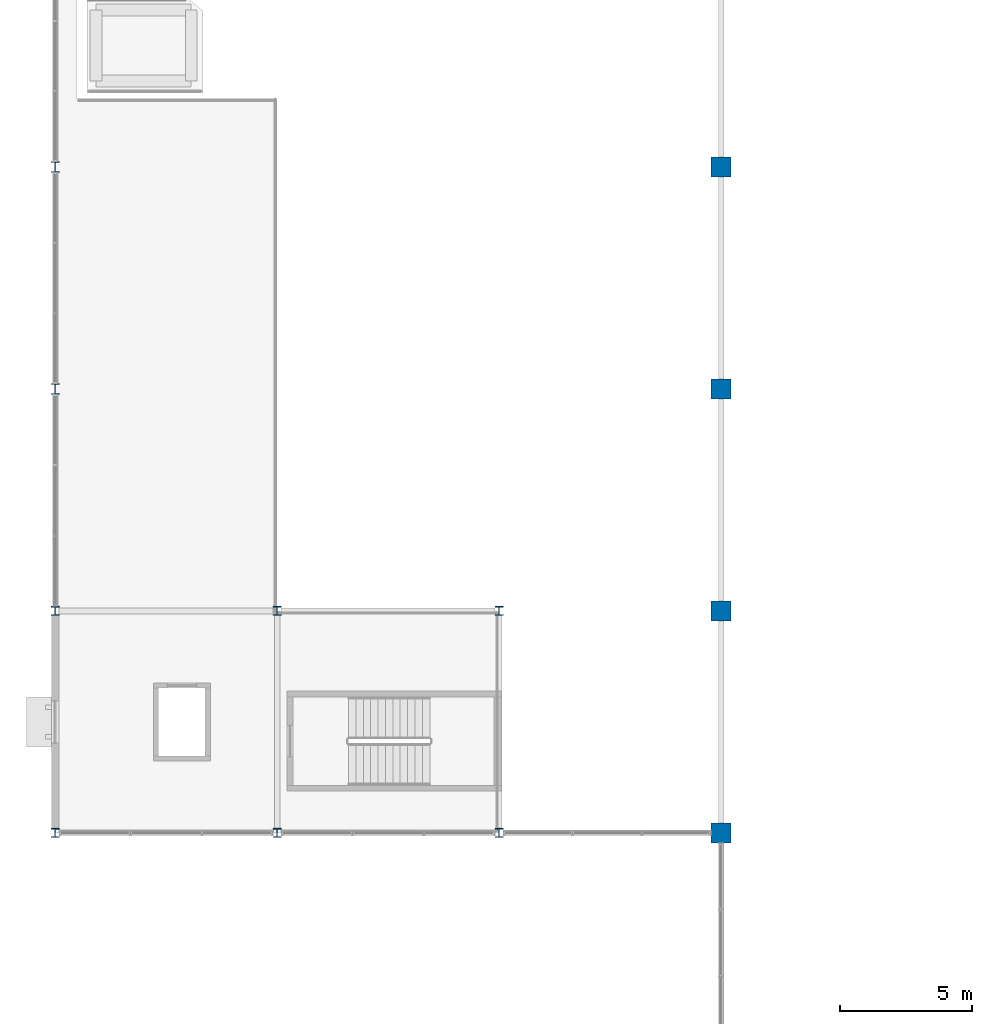
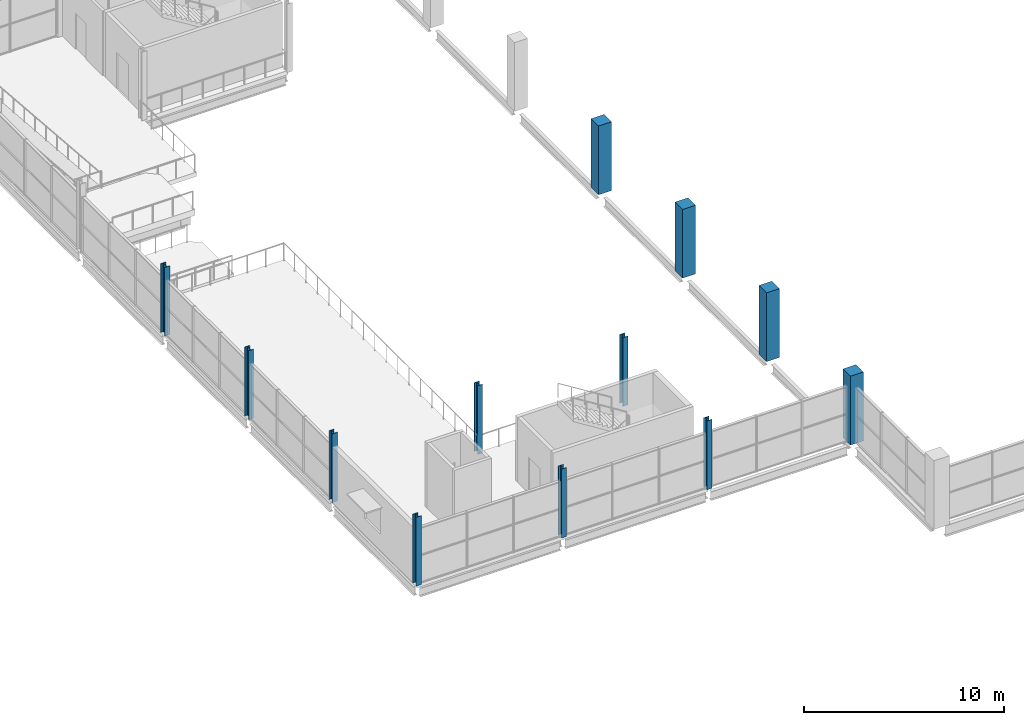
# One storey, part 2 of 93: 12 columns.
"""IFC4 building model written with IfcOpenShell, lengths in metres."""

from ifc_helpers import new_model, si_unit, direction, frame, origin, origin_2d, place, context, subcontext, project, spatial, rectangle, i_section, extrude, material, material_profile, profile_set, type_object, element, save


model = new_model("IFC4")

# Units and contexts
model_context = context("Model", 3, precision=1e-05, world=origin(), true_north=direction((0.0, 1.0)))
body_context = subcontext(model_context, "Body", "Model", "MODEL_VIEW")
ifc_project = project(units=[si_unit("LENGTHUNIT", "METRE"), si_unit("AREAUNIT", "SQUARE_METRE"), si_unit("VOLUMEUNIT", "CUBIC_METRE"), si_unit("PLANEANGLEUNIT", "RADIAN"), si_unit("MASSUNIT", "GRAM", prefix="KILO"), si_unit("THERMODYNAMICTEMPERATUREUNIT", "KELVIN")], contexts=[model_context])

# Site, building, storey
site_placement = place(None, origin())
site = spatial("IfcSite", under=ifc_project, at=site_placement, CompositionType="ELEMENT")
building_placement = place(site_placement, origin())
building = spatial("IfcBuilding", under=site, at=building_placement, Name="Nduvali Passage Aquatics Centre", CompositionType="ELEMENT")
storey_placement = place(building_placement, frame((0.0, 0.0, 9.0)))
storey = spatial("IfcBuildingStorey", under=building, at=storey_placement, Name="L02", CompositionType="ELEMENT", Elevation=9.0)

# Columns
ifc_material_1 = material(Name="Steel S355", Category="steel")
ifc_material_profile_1 = material_profile(ifc_material_1, i_section(OverallWidth=0.300048828125, OverallDepth=0.340087890625, WebThickness=0.011962890625, FlangeThickness=0.021484375, FilletRadius=0.027099609375, at=origin_2d()), Name="HEB 340")
ifc_profile_set_1 = profile_set([ifc_material_profile_1], Name="Steel S355")
column_type_1 = type_object("IfcColumnType", Name="STR-COL-HEB340", PredefinedType="COLUMN", material=ifc_profile_set_1)
for number, where, z_axis, x_axis, name in (
    (1, (8.39990234375, 42.0, 0.0), (0.0, 0.0, 1.0), (1.0, 0.0, 0.0), "L02 Column C7 (8.4, 42.0)"),
    (2, (16.800048828125, 42.0, 0.0), (0.0, 0.0, 1.0), (1.0, 0.0, 0.0), "L02 Column C7 (16.8, 42.0)"),
):
    element("IfcColumn", number, at=place(storey_placement, frame(where, z_axis=z_axis, x_axis=x_axis)), inside=storey, type_object=column_type_1, Name=name, PredefinedType="COLUMN", context=body_context, shape_type="SweptSolid", body=[
        extrude(i_section(OverallWidth=0.300048828125, OverallDepth=0.340087890625, WebThickness=0.011962890625, FlangeThickness=0.021484375, FilletRadius=0.027099609375, at=origin_2d()), origin(), (0.0, 0.0, 1.0), 4.199951171875),
    ])
ifc_material_profile_2 = material_profile(ifc_material_1, i_section(OverallWidth=0.300048828125, OverallDepth=0.340087890625, WebThickness=0.011962890625, FlangeThickness=0.021484375, FilletRadius=0.027099609375, at=origin_2d()), Name="HEB 340")
ifc_profile_set_2 = profile_set([ifc_material_profile_2], Name="Steel S355")
column_type_2 = type_object("IfcColumnType", Name="STR-COL-HEB340-EXT", PredefinedType="COLUMN", material=ifc_profile_set_2)
for number, where, z_axis, x_axis, name in (
    (3, (0.0, 33.60009765625, 0.0), (0.0, 0.0, 1.0), (1.0, 0.0, 0.0), "L02 Column C7E (0.0, 33.6)"),
    (4, (0.0, 42.0, 0.0), (0.0, 0.0, 1.0), (1.0, 0.0, 0.0), "L02 Column C7E (0.0, 42.0)"),
    (5, (8.39990234375, 33.60009765625, 0.0), (0.0, 0.0, 1.0), (1.0, 0.0, 0.0), "L02 Column C7E (8.4, 33.6)"),
    (6, (16.800048828125, 33.60009765625, 0.0), (0.0, 0.0, 1.0), (1.0, 0.0, 0.0), "L02 Column C7E (16.8, 33.6)"),
):
    element("IfcColumn", number, at=place(storey_placement, frame(where, z_axis=z_axis, x_axis=x_axis)), inside=storey, type_object=column_type_2, Name=name, PredefinedType="COLUMN", context=body_context, shape_type="SweptSolid", body=[
        extrude(i_section(OverallWidth=0.300048828125, OverallDepth=0.340087890625, WebThickness=0.011962890625, FlangeThickness=0.021484375, FilletRadius=0.027099609375, at=origin_2d()), origin(), (0.0, 0.0, 1.0), 4.199951171875),
    ])
ifc_material_profile_3 = material_profile(ifc_material_1, i_section(OverallWidth=0.300048828125, OverallDepth=0.39990234375, WebThickness=0.013427734375, FlangeThickness=0.02392578125, FilletRadius=0.027099609375, at=origin_2d()), Name="HEB 400")
ifc_profile_set_3 = profile_set([ifc_material_profile_3], Name="Steel S355")
column_type_3 = type_object("IfcColumnType", Name="STR-COL-HEB400-EXT", PredefinedType="COLUMN", material=ifc_profile_set_3)
for number, where, z_axis, x_axis, name in (
    (7, (0.0, 50.39990234375, 0.0), (0.0, 0.0, 1.0), (1.0, 0.0, 0.0), "L02 Column C7AE (0.0, 50.4)"),
    (8, (0.0, 58.800048828125, 0.0), (0.0, 0.0, 1.0), (1.0, 0.0, 0.0), "L02 Column C7AE (0.0, 58.8)"),
):
    element("IfcColumn", number, at=place(storey_placement, frame(where, z_axis=z_axis, x_axis=x_axis)), inside=storey, type_object=column_type_3, Name=name, PredefinedType="COLUMN", context=body_context, shape_type="SweptSolid", body=[
        extrude(i_section(OverallWidth=0.300048828125, OverallDepth=0.39990234375, WebThickness=0.013427734375, FlangeThickness=0.02392578125, FilletRadius=0.027099609375, at=origin_2d()), origin(), (0.0, 0.0, 1.0), 4.199951171875),
    ])
ifc_material_2 = material(Name="Concrete C40/50", Category="concrete")
ifc_material_profile_4 = material_profile(ifc_material_2, rectangle(XDim=0.75, YDim=0.75, at=origin_2d()), Name="RC 750x750")
ifc_profile_set_4 = profile_set([ifc_material_profile_4], Name="Concrete C40/50")
column_type_4 = type_object("IfcColumnType", Name="STR-COL-RC750", PredefinedType="COLUMN", material=ifc_profile_set_4)
for number, where, z_axis, x_axis, name in (
    (9, (25.199951171875, 33.60009765625, 0.0), (0.0, 0.0, 1.0), (1.0, 0.0, 0.0), "L02 Column C2 (25.2, 33.6)"),
    (10, (25.199951171875, 42.0, 0.0), (0.0, 0.0, 1.0), (1.0, 0.0, 0.0), "L02 Column C2 (25.2, 42.0)"),
    (11, (25.199951171875, 50.39990234375, 0.0), (0.0, 0.0, 1.0), (1.0, 0.0, 0.0), "L02 Column C2 (25.2, 50.4)"),
    (12, (25.199951171875, 58.800048828125, 0.0), (0.0, 0.0, 1.0), (1.0, 0.0, 0.0), "L02 Column C2 (25.2, 58.8)"),
):
    element("IfcColumn", number, at=place(storey_placement, frame(where, z_axis=z_axis, x_axis=x_axis)), inside=storey, type_object=column_type_4, Name=name, PredefinedType="COLUMN", context=body_context, shape_type="SweptSolid", body=[
        extrude(rectangle(XDim=0.75, YDim=0.75, at=origin_2d()), origin(), (0.0, 0.0, 1.0), 4.199951171875),
    ])

save(model, "model.ifc")
